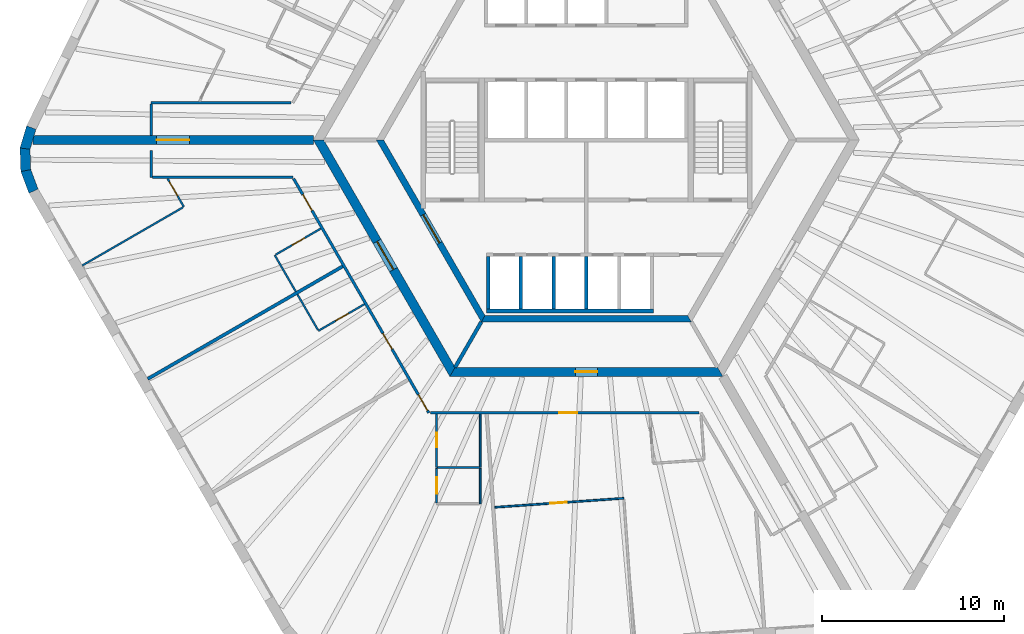
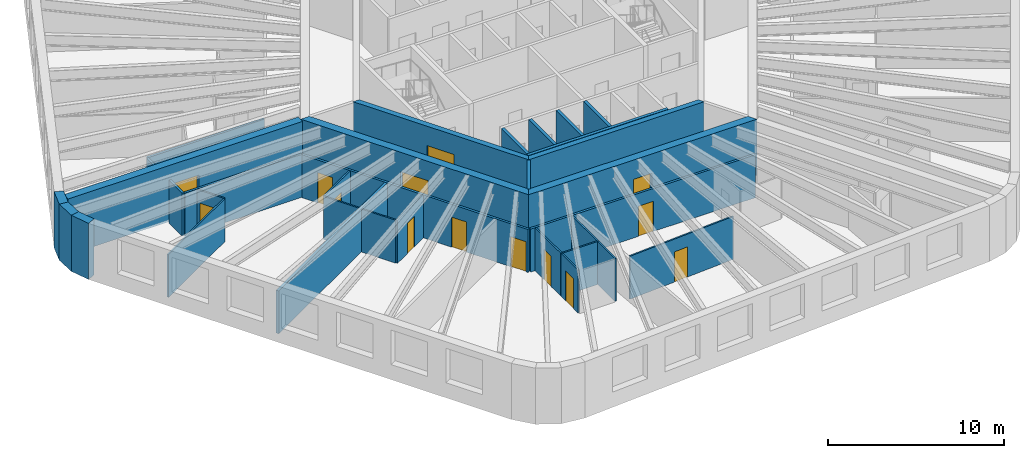
# One storey, part 3 of 10: 33 walls, 14 doors, 14 openings.
"""IFC4 building model written with IfcOpenShell, lengths in metres."""

import ifcopenshell
import ifcopenshell.guid

model = None  # the IFC model being written
_history = None  # IfcOwnerHistory: only IFC2X3 demands one
_inside = {}  # id of a spatial element -> (the spatial element, [elements in it])
_under = {}  # id of a project, library or spatial element -> (it, [spatial elements below it])
_declared = {}  # id of a project -> (the project, [libraries it declares])
_typed = {}  # id of a type object -> (the type object, [elements of that type])
_made_of = {}  # id of a material, layer set ... -> (it, [elements and type objects made of it])


def new_model(schema):
    """Start an empty IFC model of exactly this schema.

    Asked for "IFC4X3", IfcOpenShell would pick the latest addendum, in which some entities
    have other attributes; the version numbers below select the first issue.
    IFC2X3 requires an IfcOwnerHistory on every rooted entity: one is made here for all.
    """
    global model, _history
    if schema == "IFC4X3":
        model = ifcopenshell.file(schema_version=(4, 3, 0, 0))
    else:
        model = ifcopenshell.file(schema=schema)
    _inside.clear()
    _under.clear()
    _declared.clear()
    _typed.clear()
    _made_of.clear()
    _history = None
    if model.schema == "IFC2X3":
        org = make("IfcOrganization", Name="unknown")
        user = make(
            "IfcPersonAndOrganization",
            ThePerson=make("IfcPerson", FamilyName="unknown"),
            TheOrganization=org,
        )
        app = make(
            "IfcApplication",
            ApplicationDeveloper=org,
            Version="unknown",
            ApplicationFullName="unknown",
            ApplicationIdentifier="unknown",
        )
        _history = make(
            "IfcOwnerHistory",
            OwningUser=user,
            OwningApplication=app,
            ChangeAction="ADDED",
            CreationDate=0,
        )
    return model


def make(cls, **values):
    """One entity of the class cls with the attributes given. An attribute that is None is left unset."""
    return model.create_entity(
        cls, **{name: value for name, value in values.items() if value is not None}
    )


def rooted(cls, **values):
    """An entity with a GlobalId (a new one), such as an element, a storey or a relation."""
    return make(cls, GlobalId=ifcopenshell.guid.new(), OwnerHistory=_history, **values)


def si_unit(unit_type, name, prefix=None):
    """IfcSIUnit, for example si_unit("LENGTHUNIT", "METRE", prefix="MILLI")."""
    return make("IfcSIUnit", UnitType=unit_type, Prefix=prefix, Name=name)


def assignment(units):
    """IfcUnitAssignment: the units of a project."""
    return None if units is None else make("IfcUnitAssignment", Units=units)


def point(xyz):
    """IfcCartesianPoint."""
    return None if xyz is None else make("IfcCartesianPoint", Coordinates=xyz)


def direction(xyz):
    """IfcDirection."""
    return None if xyz is None else make("IfcDirection", DirectionRatios=xyz)


def frame(location, z_axis=None, x_axis=None):
    """IfcAxis2Placement3D, a coordinate frame: its origin and axes. An axis left out is left unset."""
    return make(
        "IfcAxis2Placement3D",
        Location=point(location),
        Axis=direction(z_axis),
        RefDirection=direction(x_axis),
    )


def frame_2d(location, x_axis=None):
    """IfcAxis2Placement2D, a coordinate frame in the plane: its origin and x axis."""
    return make(
        "IfcAxis2Placement2D", Location=point(location), RefDirection=direction(x_axis)
    )


def origin():
    """The frame at (0, 0, 0) with its axes left unset."""
    return frame((0.0, 0.0, 0.0))


def place(relative_to, where):
    """IfcLocalPlacement: puts the frame where relative to a parent placement (None: the world)."""
    return make(
        "IfcLocalPlacement", PlacementRelTo=relative_to, RelativePlacement=where
    )


def context(
    kind, dimensions, precision=None, world=None, true_north=None, identifier=None
):
    """IfcGeometricRepresentationContext, for example the 3D "Model" context."""
    return make(
        "IfcGeometricRepresentationContext",
        ContextIdentifier=identifier,
        ContextType=kind,
        CoordinateSpaceDimension=dimensions,
        Precision=precision,
        WorldCoordinateSystem=world,
        TrueNorth=true_north,
    )


def subcontext(parent, identifier, kind, view, scale=None):
    """IfcGeometricRepresentationSubContext, for example "Body" below "Model"."""
    return make(
        "IfcGeometricRepresentationSubContext",
        ContextIdentifier=identifier,
        ContextType=kind,
        ParentContext=parent,
        TargetScale=scale,
        TargetView=view,
    )


def project(units=None, contexts=None):
    """IfcProject with its units and contexts."""
    return rooted(
        "IfcProject",
        Name="project",
        RepresentationContexts=contexts,
        UnitsInContext=assignment(units),
    )


def spatial(cls, under=None, at=None, **own):
    """A site, building, storey or space (cls), placed at a placement, below another one or the project."""
    s = rooted(cls, ObjectPlacement=at, **own)
    if under is not None:
        _under.setdefault(under.id(), (under, []))[1].append(s)
    return s


def polyline(points):
    """IfcPolyline through the points."""
    return make("IfcPolyline", Points=[point(p) for p in points])


def profile(cls, at=None, kind="AREA", **sizes):
    """A parametric profile (cls). Its sizes go by their IFC names, for example OverallWidth=200.0."""
    return make(cls, ProfileType=kind, Position=at, **sizes)


def rectangle(**sizes):
    """IfcRectangleProfileDef."""
    return profile("IfcRectangleProfileDef", **sizes)


def outline(outer, holes=None, kind="AREA"):
    """IfcArbitraryClosedProfileDef: a profile drawn as a closed curve; with holes, ...WithVoids."""
    if holes is None:
        return make("IfcArbitraryClosedProfileDef", ProfileType=kind, OuterCurve=outer)
    return make(
        "IfcArbitraryProfileDefWithVoids",
        ProfileType=kind,
        OuterCurve=outer,
        InnerCurves=holes,
    )


def extrude(swept, where, along, depth):
    """IfcExtrudedAreaSolid: the profile swept, set in the frame where, extruded along a direction by depth."""
    return make(
        "IfcExtrudedAreaSolid",
        SweptArea=swept,
        Position=where,
        ExtrudedDirection=direction(along),
        Depth=depth,
    )


def shape(context_of_items, identifier, shape_type, items):
    """IfcShapeRepresentation: the items that make up one representation, for example the "Body"."""
    return make(
        "IfcShapeRepresentation",
        ContextOfItems=context_of_items,
        RepresentationIdentifier=identifier,
        RepresentationType=shape_type,
        Items=items,
    )


def material(Name=None, Category=None):
    """IfcMaterial."""
    return make("IfcMaterial", Name=Name, Category=Category)


def layer(
    of_material, thickness, ventilated=None, Name=None, Category=None, Priority=None
):
    """IfcMaterialLayer: one layer of a wall or slab, of a material (None: an air gap)."""
    return make(
        "IfcMaterialLayer",
        Material=of_material,
        LayerThickness=thickness,
        IsVentilated=ventilated,
        Name=Name,
        Category=Category,
        Priority=Priority,
    )


def layer_set(layers, Name=None):
    """IfcMaterialLayerSet."""
    return make("IfcMaterialLayerSet", MaterialLayers=layers, LayerSetName=Name)


def made_of(thing, what):
    """Note that an element or type object is made of a material, layer set ...; save() writes the relation."""
    if what is not None:
        _made_of.setdefault(what.id(), (what, []))[1].append(thing)
    return thing


def type_object(cls, material=None, **own):
    """A type object (cls), such as IfcWallType, which elements share."""
    return made_of(rooted(cls, **own), material)


def element(
    cls,
    number,
    at=None,
    inside=None,
    cuts=None,
    type_object=None,
    material=None,
    context=None,
    identifier="Body",
    shape_type=None,
    held_by="IfcProductDefinitionShape",
    body=None,
    shapes=None,
    **own,
):
    """One element of the class cls, such as IfcWall. Its Tag is "e" and its number.

    at: its placement. inside: the storey or other place that contains it. cuts: it is an
    opening in that element (IfcRelVoidsElement). A single representation is given by context,
    identifier, shape_type and body (its items); several are given by shapes. held_by: the class
    of the entity that holds the representations. save() writes the other relations.
    """
    e = rooted(cls, Tag="e%d" % number, ObjectPlacement=at, **own)
    if body is not None:
        shapes = [shape(context, identifier, shape_type, body)]
    if shapes is not None:
        e.Representation = make(held_by, Representations=shapes)
    if inside is not None:
        _inside.setdefault(inside.id(), (inside, []))[1].append(e)
    if cuts is not None:
        rooted(
            "IfcRelVoidsElement", RelatingBuildingElement=cuts, RelatedOpeningElement=e
        )
    if type_object is not None:
        _typed.setdefault(type_object.id(), (type_object, []))[1].append(e)
    return made_of(e, material)


def fill(opening, filler):
    """IfcRelFillsElement: the door or window that sits in an opening."""
    return rooted(
        "IfcRelFillsElement",
        RelatingOpeningElement=opening,
        RelatedBuildingElement=filler,
    )


def aggregate(whole, parts):
    """IfcRelAggregates: a whole, such as a stair, and the parts it consists of."""
    return rooted("IfcRelAggregates", RelatingObject=whole, RelatedObjects=parts)


def save(model, path):
    """Write the relations noted so far, then the file.

    IfcRelAggregates (storeys below a building ...), IfcRelContainedInSpatialStructure (elements
    in a storey), IfcRelDefinesByType, IfcRelAssociatesMaterial and IfcRelDeclares: one each for
    every whole, place, type object, material and project.
    """
    for whole, parts in _under.values():
        aggregate(whole, parts)
    for where, things in _inside.values():
        rooted(
            "IfcRelContainedInSpatialStructure",
            RelatedElements=things,
            RelatingStructure=where,
        )
    for kind, things in _typed.values():
        rooted("IfcRelDefinesByType", RelatedObjects=things, RelatingType=kind)
    for what, things in _made_of.values():
        rooted("IfcRelAssociatesMaterial", RelatedObjects=things, RelatingMaterial=what)
    for by, libraries in _declared.values():
        rooted("IfcRelDeclares", RelatingContext=by, RelatedDefinitions=libraries)
    model.write(path)


model = new_model("IFC4")

# Units and contexts
model_context = context("Model", 3, precision=1e-05, world=origin(), true_north=direction((0.0, 1.0)))
body_context = subcontext(model_context, "Body", "Model", "MODEL_VIEW")
ifc_project = project(units=[si_unit("LENGTHUNIT", "METRE"), si_unit("AREAUNIT", "SQUARE_METRE"), si_unit("VOLUMEUNIT", "CUBIC_METRE"), si_unit("PLANEANGLEUNIT", "RADIAN"), si_unit("MASSUNIT", "GRAM", prefix="KILO")], contexts=[model_context])

# Site, building, storey
site_placement = place(None, origin())
site = spatial("IfcSite", under=ifc_project, at=site_placement, CompositionType="ELEMENT")
building_placement = place(site_placement, origin())
building = spatial("IfcBuilding", under=site, at=building_placement, Name="Tarnside Tower", CompositionType="ELEMENT")
storey_placement = place(building_placement, frame((0.0, 0.0, 187.800048828125)))
storey = spatial("IfcBuildingStorey", under=building, at=storey_placement, Name="L44", CompositionType="ELEMENT", Elevation=187.800048828125)

# Wall
ifc_material_1 = material(Name="Gypsum board partition on steel studs", Category="steel")
ifc_layer_1 = layer(ifc_material_1, 0.10009765625)
ifc_layer_set_1 = layer_set([ifc_layer_1], Name="Bathroom wall 100")
wall_type_1 = type_object("IfcWallType", Name="Bathroom wall 100", PredefinedType="PARTITIONING", material=ifc_layer_set_1)
wall_1_placement = place(storey_placement, frame((-15.974609375, -8.331298828125, 0.0), z_axis=(0.0, 0.0, 1.0), x_axis=(-0.500015210774, 0.866016621662, 0.0)))
element("IfcWall", 1, at=wall_1_placement, inside=storey, type_object=wall_type_1, Name="Bathroom wall 14077", PredefinedType="PARTITIONING", context=body_context, shape_type="SweptSolid", body=[
    extrude(rectangle(XDim=2.31005859375, YDim=0.10009765625, at=frame_2d((1.155029296875, 0.0))), origin(), (0.0, 0.0, 1.0), 2.98779296875),
])

# Wall, opening, door
wall_2_placement = place(storey_placement, frame((-17.086181640625, -6.305908203125, 0.0), z_axis=(0.0, 0.0, 1.0), x_axis=(0.866018712932, 0.500011588718, 0.0)))
wall_2 = element("IfcWall", 2, at=wall_2_placement, inside=storey, type_object=wall_type_1, Name="Bathroom wall 14078", PredefinedType="PARTITIONING", context=body_context, shape_type="SweptSolid", body=[
    extrude(rectangle(XDim=2.875, YDim=0.10009765625, at=frame_2d((1.4375, 0.0))), origin(), (0.0, 0.0, 1.0), 2.98779296875),
])
opening_1_placement = place(wall_2_placement, frame((1.050048828125, 0.0, 0.0)))
opening_1 = element("IfcOpeningElement", 3, at=opening_1_placement, cuts=wall_2, Name="Opening D-B1", PredefinedType="OPENING", context=body_context, shape_type="SweptSolid", body=[
    extrude(rectangle(XDim=0.800048828125, YDim=2.10009765625, at=frame_2d((0.39990234375, 1.050048828125))), frame((0.0, 0.06005859375, 0.0), z_axis=(0.0, -1.0, 0.0), x_axis=(1.0, 0.0, 0.0)), (0.0, 0.0, 1.0), 0.1201171875),
])
ifc_material_2 = material(Name="Timber door leaf", Category="wood")
door_type_1 = type_object("IfcDoorType", Name="Bathroom door 800", OperationType="NOTDEFINED", PredefinedType="DOOR", material=ifc_material_2)
door_1_placement = place(opening_1_placement, origin())
door_1 = element("IfcDoor", 4, at=door_1_placement, inside=storey, type_object=door_type_1, Name="Bathroom door 14014", OperationType="SINGLE_SWING_RIGHT", OverallHeight=2.10009765625, OverallWidth=0.800048828125, PredefinedType="DOOR", context=body_context, shape_type="SweptSolid", body=[
    extrude(rectangle(XDim=0.800048828125, YDim=2.10009765625, at=frame_2d((0.39990234375, 1.050048828125))), frame((0.0, 0.02490234375, 0.0), z_axis=(0.0, -1.0, 0.0), x_axis=(1.0, 0.0, 0.0)), (0.0, 0.0, 1.0), 0.050048828125),
])
fill(opening_1, door_1)

wall_3_placement = place(storey_placement, frame((-12.1962890625, -9.025146484375, 0.0), z_axis=(0.0, 0.0, 1.0), x_axis=(-0.86601045545, -0.500025890382, 0.0)))
wall_3 = element("IfcWall", 5, at=wall_3_placement, inside=storey, type_object=wall_type_1, Name="Bathroom wall 14083", PredefinedType="PARTITIONING", context=body_context, shape_type="SweptSolid", body=[
    extrude(rectangle(XDim=2.925048828125, YDim=0.10009765625, at=frame_2d((1.46240234375, 0.0))), origin(), (0.0, 0.0, 1.0), 2.98779296875),
])
opening_2_placement = place(wall_3_placement, frame((1.02490234375, 0.0, 0.0)))
opening_2 = element("IfcOpeningElement", 6, at=opening_2_placement, cuts=wall_3, Name="Opening D-B1", PredefinedType="OPENING", context=body_context, shape_type="SweptSolid", body=[
    extrude(rectangle(XDim=0.800048828125, YDim=2.10009765625, at=frame_2d((0.39990234375, 1.050048828125))), frame((0.0, 0.06005859375, 0.0), z_axis=(0.0, -1.0, 0.0), x_axis=(1.0, 0.0, 0.0)), (0.0, 0.0, 1.0), 0.1201171875),
])
door_2_placement = place(opening_2_placement, origin())
door_2 = element("IfcDoor", 7, at=door_2_placement, inside=storey, type_object=door_type_1, Name="Bathroom door 14017", OperationType="SINGLE_SWING_RIGHT", OverallHeight=2.10009765625, OverallWidth=0.800048828125, PredefinedType="DOOR", context=body_context, shape_type="SweptSolid", body=[
    extrude(rectangle(XDim=0.800048828125, YDim=2.10009765625, at=frame_2d((0.39990234375, 1.050048828125))), frame((0.0, 0.02490234375, 0.0), z_axis=(0.0, -1.0, 0.0), x_axis=(1.0, 0.0, 0.0)), (0.0, 0.0, 1.0), 0.050048828125),
])
fill(opening_2, door_2)

# Wall
wall_4_placement = place(storey_placement, frame((-14.754638671875, -10.4443359375, 0.0), z_axis=(0.0, 0.0, 1.0), x_axis=(-0.4999967785, 0.866027263711, 0.0)))
element("IfcWall", 8, at=wall_4_placement, inside=storey, type_object=wall_type_1, Name="Bathroom wall 14084", PredefinedType="PARTITIONING", context=body_context, shape_type="SweptSolid", body=[
    extrude(rectangle(XDim=2.259765625, YDim=0.10009765625, at=frame_2d((1.1298828125, 0.0))), origin(), (0.0, 0.0, 1.0), 2.98779296875),
])

# Wall, opening, door
wall_5_placement = place(storey_placement, frame((-8.23486328125, -18.0, 0.0), z_axis=(0.0, 0.0, 1.0), x_axis=(0.0, 1.0, 0.0)))
wall_5 = element("IfcWall", 9, at=wall_5_placement, inside=storey, type_object=wall_type_1, Name="Bathroom wall 14086", PredefinedType="PARTITIONING", context=body_context, shape_type="SweptSolid", body=[
    extrude(rectangle(XDim=2.925048828125, YDim=0.10009765625, at=frame_2d((1.46240234375, 0.0))), origin(), (0.0, 0.0, 1.0), 2.98779296875),
])
opening_3_placement = place(wall_5_placement, frame((1.10009765625, 0.0, 0.0)))
opening_3 = element("IfcOpeningElement", 10, at=opening_3_placement, cuts=wall_5, Name="Opening D-B1", PredefinedType="OPENING", context=body_context, shape_type="SweptSolid", body=[
    extrude(rectangle(XDim=0.800048828125, YDim=2.10009765625, at=frame_2d((0.39990234375, 1.050048828125))), frame((0.0, 0.06005859375, 0.0), z_axis=(0.0, -1.0, 0.0), x_axis=(1.0, 0.0, 0.0)), (0.0, 0.0, 1.0), 0.1201171875),
])
door_3_placement = place(opening_3_placement, origin())
door_3 = element("IfcDoor", 11, at=door_3_placement, inside=storey, type_object=door_type_1, Name="Bathroom door 14019", OperationType="SINGLE_SWING_LEFT", OverallHeight=2.10009765625, OverallWidth=0.800048828125, PredefinedType="DOOR", context=body_context, shape_type="SweptSolid", body=[
    extrude(rectangle(XDim=0.800048828125, YDim=2.10009765625, at=frame_2d((0.39990234375, 1.050048828125))), frame((0.0, 0.02490234375, 0.0), z_axis=(0.0, -1.0, 0.0), x_axis=(1.0, 0.0, 0.0)), (0.0, 0.0, 1.0), 0.050048828125),
])
fill(opening_3, door_3)

# Walls
wall_6_placement = place(storey_placement, frame((-5.8349609375, -15.074951171875, 0.0), z_axis=(0.0, 0.0, 1.0), x_axis=(0.0, -1.0, 0.0)))
element("IfcWall", 12, at=wall_6_placement, inside=storey, type_object=wall_type_1, Name="Bathroom wall 14087", PredefinedType="PARTITIONING", context=body_context, shape_type="SweptSolid", body=[
    extrude(rectangle(XDim=2.925048828125, YDim=0.10009765625, at=frame_2d((1.46240234375, 0.0))), origin(), (0.0, 0.0, 1.0), 2.98779296875),
])
wall_7_placement = place(storey_placement, frame((-8.18505859375, -18.0, 0.0), z_axis=(0.0, 0.0, 1.0), x_axis=(1.0, 0.0, 0.0)))
element("IfcWall", 13, at=wall_7_placement, inside=storey, type_object=wall_type_1, Name="Bathroom wall 14093", PredefinedType="PARTITIONING", context=body_context, shape_type="SweptSolid", body=[
    extrude(rectangle(XDim=2.300048828125, YDim=0.10009765625, at=frame_2d((1.14990234375, 0.0))), origin(), (0.0, 0.0, 1.0), 2.98779296875),
])

# Wall, opening, door
ifc_material_3 = material(Name="Concrete C50/60", Category="concrete")
ifc_layer_2 = layer(ifc_material_3, 0.35009765625)
ifc_layer_set_2 = layer_set([ifc_layer_2], Name="Core block wall 350 C50/60")
wall_type_2 = type_object("IfcWallType", Name="Core block wall 350 C50/60", PredefinedType="SHEAR", material=ifc_layer_set_2)
wall_8_placement = place(storey_placement, frame((-11.344970703125, 0.0, -0.150146484375), z_axis=(0.0, 0.0, 1.0), x_axis=(0.499995046907, -0.866028263435, 0.0)))
wall_8 = element("IfcWall", 14, at=wall_8_placement, inside=storey, type_object=wall_type_2, Name="L44 core block wall face 3", PredefinedType="SHEAR", context=body_context, shape_type="SweptSolid", body=[
    extrude(outline(polyline([(-0.10107421875, -0.175048828125), (11.44580078125, -0.175048828125), (11.24365234375, 0.175048828125), (0.10107421875, 0.175048828125), (-0.10107421875, -0.175048828125)])), origin(), (0.0, 0.0, 1.0), 3.900146484375),
])
opening_4_placement = place(wall_8_placement, frame((4.74365234375, 0.0, 0.14990234375)))
opening_4 = element("IfcOpeningElement", 15, at=opening_4_placement, cuts=wall_8, Name="Opening CD-FFL", PredefinedType="OPENING", context=body_context, shape_type="SweptSolid", body=[
    extrude(rectangle(XDim=1.800048828125, YDim=2.39990234375, at=frame_2d((0.89990234375, 1.199951171875))), frame((0.0, 0.18505859375, 0.0), z_axis=(0.0, -1.0, 0.0), x_axis=(1.0, 0.0, 0.0)), (0.0, 0.0, 1.0), 0.3701171875),
])
ifc_material_4 = material(Name="Steel fire door", Category="steel")
door_type_2 = type_object("IfcDoorType", Name="Firefighting lobby double door FD60S 1800x2400", OperationType="NOTDEFINED", PredefinedType="DOOR", material=ifc_material_4)
door_4_placement = place(opening_4_placement, origin())
door_4 = element("IfcDoor", 16, at=door_4_placement, inside=storey, type_object=door_type_2, Name="L44 lobby block door P3", OperationType="DOUBLE_DOOR_SINGLE_SWING", OverallHeight=2.39990234375, OverallWidth=1.800048828125, PredefinedType="DOOR", context=body_context, shape_type="SweptSolid", body=[
    extrude(rectangle(XDim=1.800048828125, YDim=2.39990234375, at=frame_2d((0.89990234375, 1.199951171875))), frame((0.0, 0.02490234375, 0.0), z_axis=(0.0, -1.0, 0.0), x_axis=(1.0, 0.0, 0.0)), (0.0, 0.0, 1.0), 0.050048828125),
])
fill(opening_4, door_4)

# Wall
wall_9_placement = place(storey_placement, frame((-5.672607421875, -9.824951171875, -0.150146484375), z_axis=(0.0, 0.0, 1.0), x_axis=(1.0, 0.0, 0.0)))
element("IfcWall", 17, at=wall_9_placement, inside=storey, type_object=wall_type_2, Name="L44 core block wall face 4", PredefinedType="SHEAR", context=body_context, shape_type="SweptSolid", body=[
    extrude(outline(polyline([(-0.10107421875, -0.175048828125), (11.4462890625, -0.175048828125), (11.244140625, 0.175048828125), (0.10107421875, 0.175048828125), (-0.10107421875, -0.175048828125)])), origin(), (0.0, 0.0, 1.0), 3.900146484375),
])

# Wall, opening, door
ifc_material_5 = material(Name="Concrete C70/85", Category="concrete")
ifc_layer_3 = layer(ifc_material_5, 0.5)
ifc_layer_set_3 = layer_set([ifc_layer_3], Name="Core wall Z2 500 C70/85")
wall_type_3 = type_object("IfcWallType", Name="Core wall Z2 500 C70/85", PredefinedType="SHEAR", material=ifc_layer_set_3)
wall_10_placement = place(storey_placement, frame((-14.722412109375, 0.0, -0.150146484375), z_axis=(0.0, 0.0, 1.0), x_axis=(0.50000571537, -0.866022103989, 0.0)))
wall_10 = element("IfcWall", 18, at=wall_10_placement, inside=storey, type_object=wall_type_3, Name="L44 core wall face 3", PredefinedType="SHEAR", context=body_context, shape_type="SweptSolid", body=[
    extrude(outline(polyline([(-0.144287109375, -0.25), (14.86669921875, -0.25), (14.578125, 0.25), (0.144287109375, 0.25), (-0.144287109375, -0.25)])), origin(), (0.0, 0.0, 1.0), 3.900146484375),
])
opening_5_placement = place(wall_10_placement, frame((6.432373046875, 0.0, 0.14990234375)))
opening_5 = element("IfcOpeningElement", 19, at=opening_5_placement, cuts=wall_10, Name="Opening CD-FFL", PredefinedType="OPENING", context=body_context, shape_type="SweptSolid", body=[
    extrude(rectangle(XDim=1.800048828125, YDim=2.39990234375, at=frame_2d((0.89990234375, 1.199951171875))), frame((0.0, 0.260009765625, 0.0), z_axis=(0.0, -1.0, 0.0), x_axis=(1.0, 0.0, 0.0)), (0.0, 0.0, 1.0), 0.52001953125),
])
door_5_placement = place(opening_5_placement, origin())
door_5 = element("IfcDoor", 20, at=door_5_placement, inside=storey, type_object=door_type_2, Name="L44 core door P3", OperationType="DOUBLE_DOOR_SINGLE_SWING", OverallHeight=2.39990234375, OverallWidth=1.800048828125, PredefinedType="DOOR", context=body_context, shape_type="SweptSolid", body=[
    extrude(rectangle(XDim=1.800048828125, YDim=2.39990234375, at=frame_2d((0.89990234375, 1.199951171875))), frame((0.0, 0.02490234375, 0.0), z_axis=(0.0, -1.0, 0.0), x_axis=(1.0, 0.0, 0.0)), (0.0, 0.0, 1.0), 0.050048828125),
])
fill(opening_5, door_5)

wall_11_placement = place(storey_placement, frame((-7.361083984375, -12.75, -0.150146484375), z_axis=(0.0, 0.0, 1.0), x_axis=(1.0, 0.0, 0.0)))
wall_11 = element("IfcWall", 21, at=wall_11_placement, inside=storey, type_object=wall_type_3, Name="L44 core wall face 4", PredefinedType="SHEAR", context=body_context, shape_type="SweptSolid", body=[
    extrude(outline(polyline([(-0.144287109375, -0.25), (14.866455078125, -0.25), (14.577880859375, 0.25), (0.144287109375, 0.25), (-0.144287109375, -0.25)])), origin(), (0.0, 0.0, 1.0), 3.900146484375),
])
opening_6_placement = place(wall_11_placement, frame((6.76123046875, 0.0, 0.14990234375)))
opening_6 = element("IfcOpeningElement", 22, at=opening_6_placement, cuts=wall_11, Name="Opening CD-RSR", PredefinedType="OPENING", context=body_context, shape_type="SweptSolid", body=[
    extrude(rectangle(XDim=1.199951171875, YDim=2.39990234375, at=frame_2d((0.60009765625, 1.199951171875))), frame((0.0, 0.260009765625, 0.0), z_axis=(0.0, -1.0, 0.0), x_axis=(1.0, 0.0, 0.0)), (0.0, 0.0, 1.0), 0.52001953125),
])
door_type_3 = type_object("IfcDoorType", Name="Riser door FD60 1200x2400", OperationType="NOTDEFINED", PredefinedType="DOOR", material=ifc_material_4)
door_6_placement = place(opening_6_placement, origin())
door_6 = element("IfcDoor", 23, at=door_6_placement, inside=storey, type_object=door_type_3, Name="L44 core door S6", OperationType="SINGLE_SWING_LEFT", OverallHeight=2.39990234375, OverallWidth=1.199951171875, PredefinedType="DOOR", context=body_context, shape_type="SweptSolid", body=[
    extrude(rectangle(XDim=1.199951171875, YDim=2.39990234375, at=frame_2d((0.60009765625, 1.199951171875))), frame((0.0, 0.02490234375, 0.0), z_axis=(0.0, -1.0, 0.0), x_axis=(1.0, 0.0, 0.0)), (0.0, 0.0, 1.0), 0.050048828125),
])
fill(opening_6, door_6)

wall_12_placement = place(storey_placement, frame((-15.010986328125, 0.0, -0.150146484375), z_axis=(0.0, 0.0, 1.0), x_axis=(-1.0, 0.0, 0.0)))
wall_12 = element("IfcWall", 24, at=wall_12_placement, inside=storey, type_object=wall_type_3, Name="L44 spine wall 2", PredefinedType="SHEAR", context=body_context, shape_type="SweptSolid", body=[
    extrude(rectangle(XDim=15.423828125, YDim=0.5, at=frame_2d((7.7119140625, 0.0))), origin(), (0.0, 0.0, 1.0), 3.900146484375),
])
opening_7_placement = place(wall_12_placement, frame((6.811767578125, 0.0, 0.14990234375)))
opening_7 = element("IfcOpeningElement", 25, at=opening_7_placement, cuts=wall_12, Name="Opening CD-SPN", PredefinedType="OPENING", context=body_context, shape_type="SweptSolid", body=[
    extrude(rectangle(XDim=1.800048828125, YDim=2.39990234375, at=frame_2d((0.89990234375, 1.199951171875))), frame((0.0, 0.260009765625, 0.0), z_axis=(0.0, -1.0, 0.0), x_axis=(1.0, 0.0, 0.0)), (0.0, 0.0, 1.0), 0.52001953125),
])
door_type_4 = type_object("IfcDoorType", Name="Spine passage double door FD60 1800x2400", OperationType="NOTDEFINED", PredefinedType="DOOR", material=ifc_material_4)
door_7_placement = place(opening_7_placement, origin())
door_7 = element("IfcDoor", 26, at=door_7_placement, inside=storey, type_object=door_type_4, Name="L44 spine passage door 2", OperationType="DOUBLE_DOOR_SINGLE_SWING", OverallHeight=2.39990234375, OverallWidth=1.800048828125, PredefinedType="DOOR", context=body_context, shape_type="SweptSolid", body=[
    extrude(rectangle(XDim=1.800048828125, YDim=2.39990234375, at=frame_2d((0.89990234375, 1.199951171875))), frame((0.0, 0.02490234375, 0.0), z_axis=(0.0, -1.0, 0.0), x_axis=(1.0, 0.0, 0.0)), (0.0, 0.0, 1.0), 0.050048828125),
])
fill(opening_7, door_7)

# Walls
ifc_layer_4 = layer(ifc_material_1, 0.14990234375)
ifc_layer_set_4 = layer_set([ifc_layer_4], Name="Corridor wall 150 EI 60")
wall_type_4 = type_object("IfcWallType", Name="Corridor wall 150 EI 60", PredefinedType="PARTITIONING", material=ifc_layer_set_4)
wall_13_placement = place(storey_placement, frame((-16.2236328125, 2.050048828125, 0.0), z_axis=(0.0, 0.0, 1.0), x_axis=(-1.0, 0.0, 0.0)))
element("IfcWall", 27, at=wall_13_placement, inside=storey, type_object=wall_type_4, Name="Corridor wall 14015", PredefinedType="PARTITIONING", context=body_context, shape_type="SweptSolid", body=[
    extrude(rectangle(XDim=7.69921875, YDim=0.14990234375, at=frame_2d((3.849609375, 0.0))), origin(), (0.0, 0.0, 1.0), 2.98779296875),
])
wall_14_placement = place(storey_placement, frame((-23.9228515625, 1.97509765625, 0.0), z_axis=(0.0, 0.0, 1.0), x_axis=(0.0, -1.0, 0.0)))
element("IfcWall", 28, at=wall_14_placement, inside=storey, type_object=wall_type_4, Name="Corridor wall 14018", PredefinedType="PARTITIONING", context=body_context, shape_type="SweptSolid", body=[
    extrude(rectangle(XDim=1.72509765625, YDim=0.14990234375, at=frame_2d((0.862548828125, 0.0))), origin(), (0.0, 0.0, 1.0), 2.98779296875),
])
wall_15_placement = place(storey_placement, frame((-23.847900390625, -2.050048828125, 0.0), z_axis=(0.0, 0.0, 1.0), x_axis=(1.0, 0.0, 0.0)))
element("IfcWall", 29, at=wall_15_placement, inside=storey, type_object=wall_type_4, Name="Corridor wall 14019", PredefinedType="PARTITIONING", context=body_context, shape_type="SweptSolid", body=[
    extrude(rectangle(XDim=7.7109375, YDim=0.14990234375, at=frame_2d((3.85546875, 0.0))), origin(), (0.0, 0.0, 1.0), 2.98779296875),
])

# Wall, openings, doors
wall_16_placement = place(storey_placement, frame((-16.09375, -2.125, 0.0), z_axis=(0.0, 0.0, 1.0), x_axis=(0.500010545262, -0.866019315389, 0.0)))
wall_16 = element("IfcWall", 30, at=wall_16_placement, inside=storey, type_object=wall_type_4, Name="Corridor wall 14020", PredefinedType="PARTITIONING", context=body_context, shape_type="SweptSolid", body=[
    extrude(rectangle(XDim=14.866943359375, YDim=0.14990234375, at=frame_2d((7.43359375, 0.0))), origin(), (0.0, 0.0, 1.0), 2.98779296875),
])
opening_8_placement = place(wall_16_placement, frame((1.018798828125, 0.0, 0.0)))
opening_8 = element("IfcOpeningElement", 31, at=opening_8_placement, cuts=wall_16, Name="Opening D-E1", PredefinedType="OPENING", context=body_context, shape_type="SweptSolid", body=[
    extrude(rectangle(XDim=1.0, YDim=2.10009765625, at=frame_2d((0.5, 1.050048828125))), frame((0.0, 0.0849609375, 0.0), z_axis=(0.0, -1.0, 0.0), x_axis=(1.0, 0.0, 0.0)), (0.0, 0.0, 1.0), 0.169921875),
])
opening_9_placement = place(wall_16_placement, frame((9.824462890625, 0.0, 0.0)))
opening_9 = element("IfcOpeningElement", 32, at=opening_9_placement, cuts=wall_16, Name="Opening D-E1", PredefinedType="OPENING", context=body_context, shape_type="SweptSolid", body=[
    extrude(rectangle(XDim=1.0, YDim=2.10009765625, at=frame_2d((0.5, 1.050048828125))), frame((0.0, 0.0849609375, 0.0), z_axis=(0.0, -1.0, 0.0), x_axis=(1.0, 0.0, 0.0)), (0.0, 0.0, 1.0), 0.169921875),
])
opening_10_placement = place(wall_16_placement, frame((13.716796875, 0.0, 0.0)))
opening_10 = element("IfcOpeningElement", 33, at=opening_10_placement, cuts=wall_16, Name="Opening D-E1", PredefinedType="OPENING", context=body_context, shape_type="SweptSolid", body=[
    extrude(rectangle(XDim=1.0, YDim=2.10009765625, at=frame_2d((0.5, 1.050048828125))), frame((0.0, 0.0849609375, 0.0), z_axis=(0.0, -1.0, 0.0), x_axis=(1.0, 0.0, 0.0)), (0.0, 0.0, 1.0), 0.169921875),
])
door_type_5 = type_object("IfcDoorType", Name="Unit entrance door 1000 FD30S", OperationType="NOTDEFINED", PredefinedType="DOOR", material=ifc_material_2)
door_8_placement = place(opening_8_placement, origin())
door_8 = element("IfcDoor", 34, at=door_8_placement, inside=storey, type_object=door_type_5, Name="Unit door 14013", OperationType="SINGLE_SWING_RIGHT", OverallHeight=2.10009765625, OverallWidth=1.0, PredefinedType="DOOR", context=body_context, shape_type="SweptSolid", body=[
    extrude(rectangle(XDim=1.0, YDim=2.10009765625, at=frame_2d((0.5, 1.050048828125))), frame((0.0, 0.02490234375, 0.0), z_axis=(0.0, -1.0, 0.0), x_axis=(1.0, 0.0, 0.0)), (0.0, 0.0, 1.0), 0.050048828125),
])
fill(opening_8, door_8)
door_9_placement = place(opening_9_placement, origin())
door_9 = element("IfcDoor", 35, at=door_9_placement, inside=storey, type_object=door_type_5, Name="Unit door 14016", OperationType="SINGLE_SWING_RIGHT", OverallHeight=2.10009765625, OverallWidth=1.0, PredefinedType="DOOR", context=body_context, shape_type="SweptSolid", body=[
    extrude(rectangle(XDim=1.0, YDim=2.10009765625, at=frame_2d((0.5, 1.050048828125))), frame((0.0, 0.02490234375, 0.0), z_axis=(0.0, -1.0, 0.0), x_axis=(1.0, 0.0, 0.0)), (0.0, 0.0, 1.0), 0.050048828125),
])
fill(opening_9, door_9)
door_10_placement = place(opening_10_placement, origin())
door_10 = element("IfcDoor", 36, at=door_10_placement, inside=storey, type_object=door_type_5, Name="Unit door 14018", OperationType="SINGLE_SWING_LEFT", OverallHeight=2.10009765625, OverallWidth=1.0, PredefinedType="DOOR", context=body_context, shape_type="SweptSolid", body=[
    extrude(rectangle(XDim=1.0, YDim=2.10009765625, at=frame_2d((0.5, 1.050048828125))), frame((0.0, 0.02490234375, 0.0), z_axis=(0.0, -1.0, 0.0), x_axis=(1.0, 0.0, 0.0)), (0.0, 0.0, 1.0), 0.050048828125),
])
fill(opening_10, door_10)

# Wall
wall_17_placement = place(storey_placement, frame((-23.9228515625, -0.564208984375, 0.0), z_axis=(0.0, 0.0, 1.0), x_axis=(0.0, -1.0, 0.0)))
element("IfcWall", 37, at=wall_17_placement, inside=storey, type_object=wall_type_4, Name="Corridor wall 14022", PredefinedType="PARTITIONING", context=body_context, shape_type="SweptSolid", body=[
    extrude(rectangle(XDim=1.48583984375, YDim=0.14990234375, at=frame_2d((0.742919921875, 0.0))), origin(), (0.0, 0.0, 1.0), 2.98779296875),
])

# Wall, opening, door
wall_18_placement = place(storey_placement, frame((-8.57373046875, -15.0, 0.0), z_axis=(0.0, 0.0, 1.0), x_axis=(1.0, 0.0, 0.0)))
wall_18 = element("IfcWall", 38, at=wall_18_placement, inside=storey, type_object=wall_type_4, Name="Corridor wall 14027", PredefinedType="PARTITIONING", context=body_context, shape_type="SweptSolid", body=[
    extrude(rectangle(XDim=14.7802734375, YDim=0.14990234375, at=frame_2d((7.39013671875, 0.0))), origin(), (0.0, 0.0, 1.0), 2.98779296875),
])
opening_11_placement = place(wall_18_placement, frame((7.0810546875, 0.0, 0.0)))
opening_11 = element("IfcOpeningElement", 39, at=opening_11_placement, cuts=wall_18, Name="Opening D-E1", PredefinedType="OPENING", context=body_context, shape_type="SweptSolid", body=[
    extrude(rectangle(XDim=1.0, YDim=2.10009765625, at=frame_2d((0.5, 1.050048828125))), frame((0.0, 0.0849609375, 0.0), z_axis=(0.0, -1.0, 0.0), x_axis=(1.0, 0.0, 0.0)), (0.0, 0.0, 1.0), 0.169921875),
])
door_11_placement = place(opening_11_placement, origin())
door_11 = element("IfcDoor", 40, at=door_11_placement, inside=storey, type_object=door_type_5, Name="Unit door 14021", OperationType="SINGLE_SWING_RIGHT", OverallHeight=2.10009765625, OverallWidth=1.0, PredefinedType="DOOR", context=body_context, shape_type="SweptSolid", body=[
    extrude(rectangle(XDim=1.0, YDim=2.10009765625, at=frame_2d((0.5, 1.050048828125))), frame((0.0, 0.02490234375, 0.0), z_axis=(0.0, -1.0, 0.0), x_axis=(1.0, 0.0, 0.0)), (0.0, 0.0, 1.0), 0.050048828125),
])
fill(opening_11, door_11)

# Walls
ifc_layer_5 = layer(ifc_material_1, 0.179931640625)
ifc_layer_set_5 = layer_set([ifc_layer_5], Name="Demising wall 180 EI 60")
wall_type_5 = type_object("IfcWallType", Name="Demising wall 180 EI 60", PredefinedType="PARTITIONING", material=ifc_layer_set_5)
wall_19_placement = place(storey_placement, frame((-24.113525390625, -13.13427734375, 0.0), z_axis=(0.0, 0.0, 1.0), x_axis=(0.866024931941, 0.500000817256, 0.0)))
element("IfcWall", 41, at=wall_19_placement, inside=storey, type_object=wall_type_5, Name="Demising wall 14081", PredefinedType="PARTITIONING", context=body_context, shape_type="SweptSolid", body=[
    extrude(rectangle(XDim=12.375, YDim=0.179931640625, at=frame_2d((6.1875, 0.0))), origin(), (0.0, 0.0, 1.0), 2.98779296875),
])
ifc_material_6 = material(Name="Concrete C40/50", Category="concrete")
ifc_layer_6 = layer(ifc_material_6, 0.199951171875)
ifc_layer_set_6 = layer_set([ifc_layer_6], Name="Lift shaft wall 200 C40/50")
wall_type_6 = type_object("IfcWallType", Name="Lift shaft wall 200 C40/50", PredefinedType="SHEAR", material=ifc_layer_set_6)
wall_20_placement = place(storey_placement, frame((-5.5, -9.39990234375, -0.25), z_axis=(0.0, 0.0, 1.0), x_axis=(1.0, 0.0, 0.0)))
element("IfcWall", 42, at=wall_20_placement, inside=storey, type_object=wall_type_6, Name="L44 lift shaft back wall R4", PredefinedType="SHEAR", context=body_context, shape_type="SweptSolid", body=[
    extrude(rectangle(XDim=9.199951171875, YDim=0.199951171875, at=frame_2d((4.60009765625, 0.0))), origin(), (0.0, 0.0, 1.0), 3.89990234375),
])
for number, where, z_axis, x_axis, name in (
    (43, (-5.39990234375, -9.300048828125, -0.25), (0.0, 0.0, 1.0), (0.0, 1.0, 0.0), "L44 lift shaft partition R41"),
    (44, (-3.60009765625, -9.300048828125, -0.25), (0.0, 0.0, 1.0), (0.0, 1.0, 0.0), "L44 lift shaft partition R42"),
    (45, (-1.800048828125, -9.300048828125, -0.25), (0.0, 0.0, 1.0), (0.0, 1.0, 0.0), "L44 lift shaft partition R43"),
    (46, (0.0, -9.300048828125, -0.25), (0.0, 0.0, 1.0), (0.0, 1.0, 0.0), "L44 lift shaft partition R44"),
):
    element("IfcWall", number, at=place(storey_placement, frame(where, z_axis=z_axis, x_axis=x_axis)), inside=storey, type_object=wall_type_6, Name=name, PredefinedType="SHEAR", context=body_context, shape_type="SweptSolid", body=[
        extrude(rectangle(XDim=2.900146484375, YDim=0.199951171875, at=frame_2d((1.4501953125, 0.0))), origin(), (0.0, 0.0, 1.0), 3.89990234375),
    ])
wall_21_placement = place(storey_placement, frame((-5.7734375, -10.0, -0.150146484375), z_axis=(0.0, 0.0, 1.0), x_axis=(-0.499995765644, -0.866027848477, 0.0)))
element("IfcWall", 47, at=wall_21_placement, inside=storey, type_object=wall_type_6, Name="L44 core partition AR240", PredefinedType="SHEAR", context=body_context, shape_type="SweptSolid", body=[
    extrude(rectangle(XDim=2.88671875, YDim=0.199951171875, at=frame_2d((1.443359375, 0.0))), origin(), (0.0, 0.0, 1.0), 3.900146484375),
])

# Wall, opening, door
ifc_layer_7 = layer(ifc_material_1, 0.10009765625)
ifc_layer_set_7 = layer_set([ifc_layer_7], Name="Partition 100")
wall_type_7 = type_object("IfcWallType", Name="Partition 100", PredefinedType="PARTITIONING", material=ifc_layer_set_7)
wall_22_placement = place(storey_placement, frame((-23.021728515625, -2.125, 0.0), z_axis=(0.0, 0.0, 1.0), x_axis=(0.499927291608, -0.866067377925, 0.0)))
wall_22 = element("IfcWall", 48, at=wall_22_placement, inside=storey, type_object=wall_type_7, Name="Partition wall 14079", PredefinedType="PARTITIONING", context=body_context, shape_type="SweptSolid", body=[
    extrude(rectangle(XDim=1.788330078125, YDim=0.10009765625, at=frame_2d((0.89404296875, 0.0))), origin(), (0.0, 0.0, 1.0), 2.98779296875),
])
opening_12_placement = place(wall_22_placement, frame((0.199951171875, 0.0, 0.0)))
opening_12 = element("IfcOpeningElement", 49, at=opening_12_placement, cuts=wall_22, Name="Opening D-I1", PredefinedType="OPENING", context=body_context, shape_type="SweptSolid", body=[
    extrude(rectangle(XDim=0.89990234375, YDim=2.10009765625, at=frame_2d((0.449951171875, 1.050048828125))), frame((0.0, 0.06005859375, 0.0), z_axis=(0.0, -1.0, 0.0), x_axis=(1.0, 0.0, 0.0)), (0.0, 0.0, 1.0), 0.1201171875),
])
door_type_6 = type_object("IfcDoorType", Name="Internal door 900", OperationType="NOTDEFINED", PredefinedType="DOOR", material=ifc_material_2)
door_12_placement = place(opening_12_placement, origin())
door_12 = element("IfcDoor", 50, at=door_12_placement, inside=storey, type_object=door_type_6, Name="Internal door 14015", OperationType="SINGLE_SWING_RIGHT", OverallHeight=2.10009765625, OverallWidth=0.89990234375, PredefinedType="DOOR", context=body_context, shape_type="SweptSolid", body=[
    extrude(rectangle(XDim=0.89990234375, YDim=2.10009765625, at=frame_2d((0.449951171875, 1.050048828125))), frame((0.0, 0.02490234375, 0.0), z_axis=(0.0, -1.0, 0.0), x_axis=(1.0, 0.0, 0.0)), (0.0, 0.0, 1.0), 0.050048828125),
])
fill(opening_12, door_12)

# Walls
wall_23_placement = place(storey_placement, frame((-22.1708984375, -3.698974609375, 0.0), z_axis=(0.0, 0.0, 1.0), x_axis=(-0.866025499775, -0.499999833739, 0.0)))
element("IfcWall", 51, at=wall_23_placement, inside=storey, type_object=wall_type_7, Name="Partition wall 14080", PredefinedType="PARTITIONING", context=body_context, shape_type="SweptSolid", body=[
    extrude(rectangle(XDim=6.39990234375, YDim=0.10009765625, at=frame_2d((3.199951171875, 0.0))), origin(), (0.0, 0.0, 1.0), 2.98779296875),
])
wall_24_placement = place(storey_placement, frame((-5.8349609375, -18.050048828125, 0.0), z_axis=(0.0, 0.0, 1.0), x_axis=(0.0, -1.0, 0.0)))
element("IfcWall", 52, at=wall_24_placement, inside=storey, type_object=wall_type_7, Name="Partition wall 14088", PredefinedType="PARTITIONING", context=body_context, shape_type="SweptSolid", body=[
    extrude(rectangle(XDim=1.949951171875, YDim=0.10009765625, at=frame_2d((0.97509765625, 0.0))), origin(), (0.0, 0.0, 1.0), 2.98779296875),
])

# Wall, opening, door
wall_25_placement = place(storey_placement, frame((-8.23486328125, -19.949951171875, 0.0), z_axis=(0.0, 0.0, 1.0), x_axis=(0.0, 1.0, 0.0)))
wall_25 = element("IfcWall", 53, at=wall_25_placement, inside=storey, type_object=wall_type_7, Name="Partition wall 14090", PredefinedType="PARTITIONING", context=body_context, shape_type="SweptSolid", body=[
    extrude(rectangle(XDim=1.89990234375, YDim=0.10009765625, at=frame_2d((0.949951171875, 0.0))), origin(), (0.0, 0.0, 1.0), 2.98779296875),
])
opening_13_placement = place(wall_25_placement, frame((0.5, 0.0, 0.0)))
opening_13 = element("IfcOpeningElement", 54, at=opening_13_placement, cuts=wall_25, Name="Opening D-I1", PredefinedType="OPENING", context=body_context, shape_type="SweptSolid", body=[
    extrude(rectangle(XDim=0.89990234375, YDim=2.10009765625, at=frame_2d((0.449951171875, 1.050048828125))), frame((0.0, 0.06005859375, 0.0), z_axis=(0.0, -1.0, 0.0), x_axis=(1.0, 0.0, 0.0)), (0.0, 0.0, 1.0), 0.1201171875),
])
door_13_placement = place(opening_13_placement, origin())
door_13 = element("IfcDoor", 55, at=door_13_placement, inside=storey, type_object=door_type_6, Name="Internal door 14020", OperationType="SINGLE_SWING_LEFT", OverallHeight=2.10009765625, OverallWidth=0.89990234375, PredefinedType="DOOR", context=body_context, shape_type="SweptSolid", body=[
    extrude(rectangle(XDim=0.89990234375, YDim=2.10009765625, at=frame_2d((0.449951171875, 1.050048828125))), frame((0.0, 0.02490234375, 0.0), z_axis=(0.0, -1.0, 0.0), x_axis=(1.0, 0.0, 0.0)), (0.0, 0.0, 1.0), 0.050048828125),
])
fill(opening_13, door_13)

wall_26_placement = place(storey_placement, frame((-5.03173828125, -20.19189453125, 0.0), z_axis=(0.0, 0.0, 1.0), x_axis=(0.997562888251, 0.069773089251, 0.0)))
wall_26 = element("IfcWall", 56, at=wall_26_placement, inside=storey, type_object=wall_type_7, Name="Partition wall 14097", PredefinedType="PARTITIONING", context=body_context, shape_type="SweptSolid", body=[
    extrude(rectangle(XDim=7.110107421875, YDim=0.10009765625, at=frame_2d((3.55517578125, 0.0))), origin(), (0.0, 0.0, 1.0), 2.98779296875),
])
opening_14_placement = place(wall_26_placement, frame((3.06005859375, 0.0, 0.0)))
opening_14 = element("IfcOpeningElement", 57, at=opening_14_placement, cuts=wall_26, Name="Opening D-I1", PredefinedType="OPENING", context=body_context, shape_type="SweptSolid", body=[
    extrude(rectangle(XDim=0.89990234375, YDim=2.10009765625, at=frame_2d((0.449951171875, 1.050048828125))), frame((0.0, 0.06005859375, 0.0), z_axis=(0.0, -1.0, 0.0), x_axis=(1.0, 0.0, 0.0)), (0.0, 0.0, 1.0), 0.1201171875),
])
door_14_placement = place(opening_14_placement, origin())
door_14 = element("IfcDoor", 58, at=door_14_placement, inside=storey, type_object=door_type_6, Name="Internal door 14023", OperationType="SINGLE_SWING_RIGHT", OverallHeight=2.10009765625, OverallWidth=0.89990234375, PredefinedType="DOOR", context=body_context, shape_type="SweptSolid", body=[
    extrude(rectangle(XDim=0.89990234375, YDim=2.10009765625, at=frame_2d((0.449951171875, 1.050048828125))), frame((0.0, 0.02490234375, 0.0), z_axis=(0.0, -1.0, 0.0), x_axis=(1.0, 0.0, 0.0)), (0.0, 0.0, 1.0), 0.050048828125),
])
fill(opening_14, door_14)

# Walls
ifc_material_7 = material(Name="Facing brick", Category="masonry")
ifc_layer_8 = layer(ifc_material_7, 0.10205078125)
ifc_material_8 = material(Name="Concrete C60/75 precast", Category="concrete")
ifc_layer_9 = layer(ifc_material_8, 0.347900390625)
ifc_material_9 = material(Name="Mineral wool insulation")
ifc_layer_10 = layer(ifc_material_9, 0.10009765625)
ifc_layer_set_8 = layer_set([ifc_layer_8, ifc_layer_9, ifc_layer_10], Name="Tube wall 550 brick faced")
wall_type_8 = type_object("IfcWallType", Name="Tube wall 550 brick faced", PredefinedType="SOLIDWALL", material=ifc_layer_set_8)
wall_27_placement = place(storey_placement, frame((-30.51318359375, 0.684326171875, -0.150146484375), z_axis=(0.0, 0.0, 1.0), x_axis=(-0.286736058109, -0.958009620505, 0.0)))
element("IfcWall", 59, at=wall_27_placement, inside=storey, type_object=wall_type_8, Name="Tube wall L44 F2 chord 05", PredefinedType="SOLIDWALL", context=body_context, shape_type="SweptSolid", body=[
    extrude(outline(polyline([(-0.0224609375, -0.27490234375), (1.25341796875, -0.27490234375), (1.1630859375, 0.27490234375), (0.0224609375, 0.27490234375), (-0.0224609375, -0.27490234375)])), origin(), (0.0, 0.0, 1.0), 3.900146484375),
])
wall_28_placement = place(storey_placement, frame((-30.859619140625, -0.47314453125, -0.150146484375), z_axis=(0.0, 0.0, 1.0), x_axis=(0.03495638276, -0.999388838893, 0.0)))
element("IfcWall", 60, at=wall_28_placement, inside=storey, type_object=wall_type_8, Name="Tube wall L44 F2 chord 06", PredefinedType="SOLIDWALL", context=body_context, shape_type="SweptSolid", body=[
    extrude(outline(polyline([(-0.045166015625, -0.27490234375), (1.25341796875, -0.27490234375), (1.1630859375, 0.27490234375), (0.045166015625, 0.27490234375), (-0.045166015625, -0.27490234375)])), origin(), (0.0, 0.0, 1.0), 3.900146484375),
])
wall_29_placement = place(storey_placement, frame((-30.8173828125, -1.6806640625, -0.150146484375), z_axis=(0.0, 0.0, 1.0), x_axis=(0.352850303963, -0.935679786569, 0.0)))
element("IfcWall", 61, at=wall_29_placement, inside=storey, type_object=wall_type_8, Name="Tube wall L44 F2 chord 07", PredefinedType="SOLIDWALL", context=body_context, shape_type="SweptSolid", body=[
    extrude(outline(polyline([(-0.045166015625, -0.27490234375), (1.23046875, -0.27490234375), (1.185546875, 0.27490234375), (0.045166015625, 0.27490234375), (-0.045166015625, -0.27490234375)])), origin(), (0.0, 0.0, 1.0), 3.900146484375),
])

save(model, "model.ifc")
